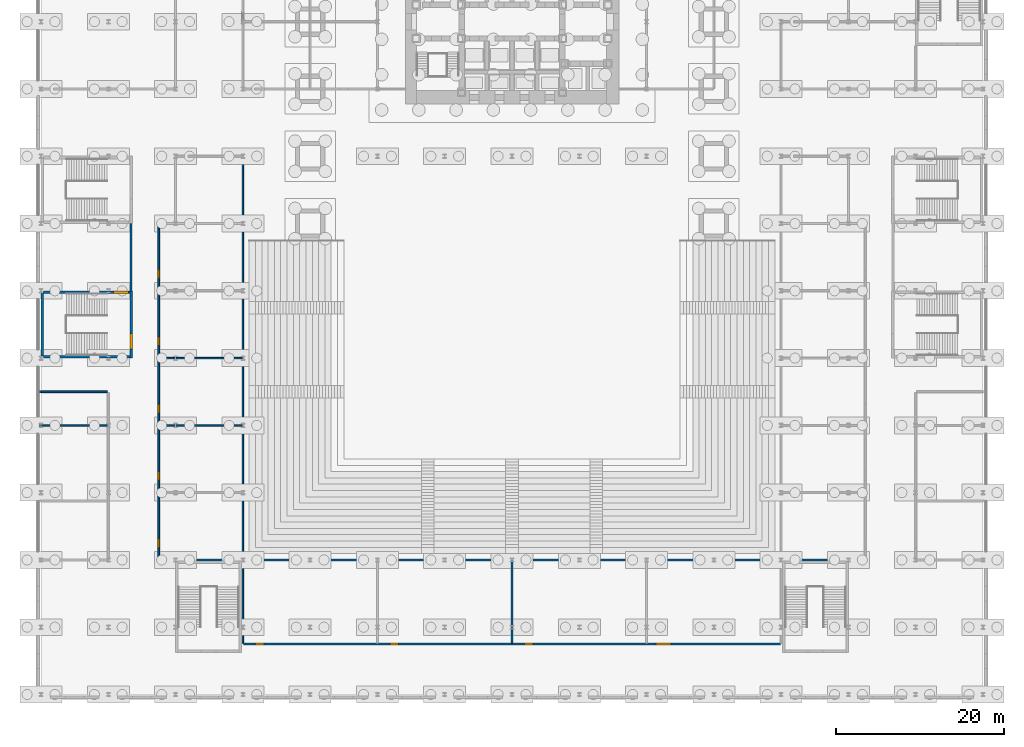
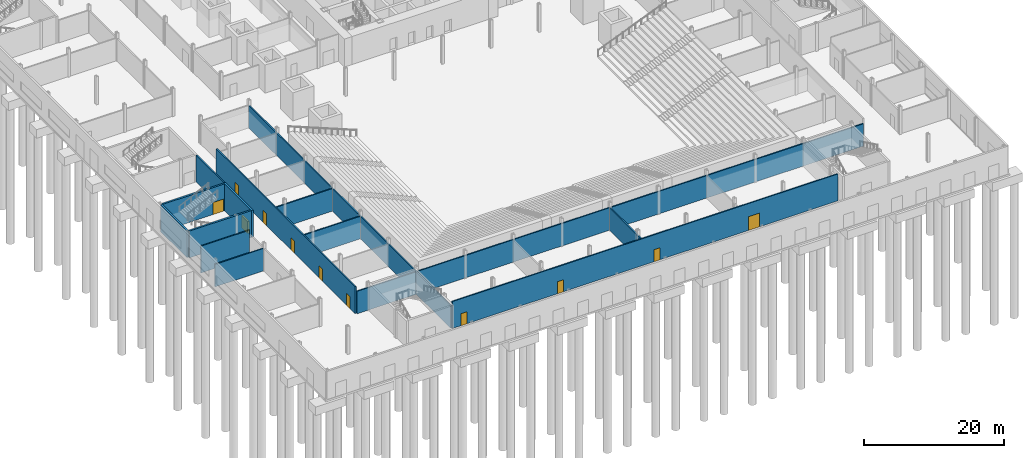
# One storey, part 12 of 24: 14 walls, 11 doors, 11 openings.
"""IFC4 building model written with IfcOpenShell, lengths in metres."""

from ifc_helpers import new_model, si_unit, direction, frame, frame_2d, origin, place, context, subcontext, project, spatial, rectangle, extrude, material, layer, layer_set, type_object, element, fill, save


model = new_model("IFC4")

# Units and contexts
model_context = context("Model", 3, precision=1e-05, world=origin(), true_north=direction((0.0, 1.0)))
body_context = subcontext(model_context, "Body", "Model", "MODEL_VIEW")
ifc_project = project(units=[si_unit("LENGTHUNIT", "METRE"), si_unit("AREAUNIT", "SQUARE_METRE"), si_unit("VOLUMEUNIT", "CUBIC_METRE"), si_unit("PLANEANGLEUNIT", "RADIAN"), si_unit("MASSUNIT", "GRAM", prefix="KILO")], contexts=[model_context])

# Site, building, storey
site_placement = place(None, origin())
site = spatial("IfcSite", under=ifc_project, at=site_placement, CompositionType="ELEMENT")
building_placement = place(site_placement, origin())
building = spatial("IfcBuilding", under=site, at=building_placement, Name="Daluyong Arena Tower", CompositionType="ELEMENT")
storey_placement = place(building_placement, origin())
storey = spatial("IfcBuildingStorey", under=building, at=storey_placement, Name="L00", CompositionType="ELEMENT", Elevation=0.0)

# Wall
ifc_material_1 = material(Name="Concrete block partition, fire rated", Category="concrete")
ifc_layer_1 = layer(ifc_material_1, 0.199951171875)
ifc_layer_set_1 = layer_set([ifc_layer_1], Name="Concrete block partition, fire rated")
wall_type_1 = type_object("IfcWallType", Name="Fire-rated partition 200", PredefinedType="PARTITIONING", material=ifc_layer_set_1)
wall_1_placement = place(storey_placement, frame((10.699951171875, 48.0, 0.0), z_axis=(0.0, 0.0, 1.0), x_axis=(0.0, 1.0, 0.0)))
element("IfcWall", 1, at=wall_1_placement, inside=storey, type_object=wall_type_1, Name="exit passage PS3 PS7 partition at L00", PredefinedType="PARTITIONING", context=body_context, shape_type="SweptSolid", body=[
    extrude(rectangle(XDim=8.0, YDim=0.199951171875, at=frame_2d((4.0, 0.0))), origin(), (0.0, 0.0, 1.0), 4.699951171875),
])

# Wall, openings, doors
ifc_material_2 = material(Name="Concrete block partition", Category="concrete")
ifc_layer_2 = layer(ifc_material_2, 0.199951171875)
ifc_layer_set_2 = layer_set([ifc_layer_2], Name="Concrete block partition")
wall_type_2 = type_object("IfcWallType", Name="Partition 200", PredefinedType="PARTITIONING", material=ifc_layer_set_2)
wall_2_placement = place(storey_placement, frame((24.10009765625, 6.0, 0.0), z_axis=(0.0, 0.0, 1.0), x_axis=(1.0, 0.0, 0.0)))
wall_2 = element("IfcWall", 2, at=wall_2_placement, inside=storey, type_object=wall_type_2, Name="partition at L00", PredefinedType="PARTITIONING", context=body_context, shape_type="SweptSolid", body=[
    extrude(rectangle(XDim=63.7998046875, YDim=0.199951171875, at=frame_2d((31.89990234375, 0.0))), origin(), (0.0, 0.0, 1.0), 4.699951171875),
])
opening_1_placement = place(wall_2_placement, frame((1.39990234375, 0.0, 0.0)))
opening_1 = element("IfcOpeningElement", 3, at=opening_1_placement, cuts=wall_2, Name="Opening 00061", PredefinedType="OPENING", context=body_context, shape_type="SweptSolid", body=[
    extrude(rectangle(XDim=1.0, YDim=2.10009765625, at=frame_2d((0.5, 1.050048828125))), frame((0.0, 0.10986328125, 0.0), z_axis=(0.0, -1.0, 0.0), x_axis=(1.0, 0.0, 0.0)), (0.0, 0.0, 1.0), 0.219970703125),
])
opening_2_placement = place(wall_2_placement, frame((17.39990234375, 0.0, 0.0)))
opening_2 = element("IfcOpeningElement", 4, at=opening_2_placement, cuts=wall_2, Name="Opening 00062", PredefinedType="OPENING", context=body_context, shape_type="SweptSolid", body=[
    extrude(rectangle(XDim=1.0, YDim=2.10009765625, at=frame_2d((0.5, 1.050048828125))), frame((0.0, 0.10986328125, 0.0), z_axis=(0.0, -1.0, 0.0), x_axis=(1.0, 0.0, 0.0)), (0.0, 0.0, 1.0), 0.219970703125),
])
opening_3_placement = place(wall_2_placement, frame((33.39990234375, 0.0, 0.0)))
opening_3 = element("IfcOpeningElement", 5, at=opening_3_placement, cuts=wall_2, Name="Opening 00063", PredefinedType="OPENING", context=body_context, shape_type="SweptSolid", body=[
    extrude(rectangle(XDim=1.0, YDim=2.10009765625, at=frame_2d((0.5, 1.050048828125))), frame((0.0, 0.10986328125, 0.0), z_axis=(0.0, -1.0, 0.0), x_axis=(1.0, 0.0, 0.0)), (0.0, 0.0, 1.0), 0.219970703125),
])
opening_4_placement = place(wall_2_placement, frame((49.0, 0.0, 0.0)))
opening_4 = element("IfcOpeningElement", 6, at=opening_4_placement, cuts=wall_2, Name="Opening 00064", PredefinedType="OPENING", context=body_context, shape_type="SweptSolid", body=[
    extrude(rectangle(XDim=1.800048828125, YDim=2.39990234375, at=frame_2d((0.89990234375, 1.199951171875))), frame((0.0, 0.10986328125, 0.0), z_axis=(0.0, -1.0, 0.0), x_axis=(1.0, 0.0, 0.0)), (0.0, 0.0, 1.0), 0.219970703125),
])
ifc_material_3 = material(Name="Timber door", Category="wood")
door_type_1 = type_object("IfcDoorType", Name="Assembly double door 1800", OperationType="DOUBLE_DOOR_DOUBLE_SWING", PredefinedType="DOOR", material=ifc_material_3)
door_1_placement = place(opening_4_placement, origin())
door_1 = element("IfcDoor", 7, at=door_1_placement, inside=storey, type_object=door_type_1, Name="sports bar door 00064", OperationType="DOUBLE_DOOR_DOUBLE_SWING", OverallHeight=2.39990234375, OverallWidth=1.800048828125, PredefinedType="DOOR", context=body_context, shape_type="SweptSolid", body=[
    extrude(rectangle(XDim=1.800048828125, YDim=2.39990234375, at=frame_2d((0.89990234375, 1.199951171875))), frame((0.0, 0.099609375, 0.0), z_axis=(0.0, -1.0, 0.0), x_axis=(1.0, 0.0, 0.0)), (0.0, 0.0, 1.0), 0.199462890625),
])
fill(opening_4, door_1)
ifc_material_4 = material(Name="Timber door", Category="wood")
door_type_2 = type_object("IfcDoorType", Name="Room door 1000", OperationType="SINGLE_SWING_LEFT", PredefinedType="DOOR", material=ifc_material_4)
door_2_placement = place(opening_1_placement, origin())
door_2 = element("IfcDoor", 8, at=door_2_placement, inside=storey, type_object=door_type_2, Name="merchandise shop door 00061", OperationType="SINGLE_SWING_LEFT", OverallHeight=2.10009765625, OverallWidth=1.0, PredefinedType="DOOR", context=body_context, shape_type="SweptSolid", body=[
    extrude(rectangle(XDim=1.0, YDim=2.10009765625, at=frame_2d((0.5, 1.050048828125))), frame((0.0, 0.099609375, 0.0), z_axis=(0.0, -1.0, 0.0), x_axis=(1.0, 0.0, 0.0)), (0.0, 0.0, 1.0), 0.199462890625),
])
fill(opening_1, door_2)
door_3_placement = place(opening_2_placement, origin())
door_3 = element("IfcDoor", 9, at=door_3_placement, inside=storey, type_object=door_type_2, Name="food and beverage kiosk door 00062", OperationType="SINGLE_SWING_LEFT", OverallHeight=2.10009765625, OverallWidth=1.0, PredefinedType="DOOR", context=body_context, shape_type="SweptSolid", body=[
    extrude(rectangle(XDim=1.0, YDim=2.10009765625, at=frame_2d((0.5, 1.050048828125))), frame((0.0, 0.099609375, 0.0), z_axis=(0.0, -1.0, 0.0), x_axis=(1.0, 0.0, 0.0)), (0.0, 0.0, 1.0), 0.199462890625),
])
fill(opening_2, door_3)
door_4_placement = place(opening_3_placement, origin())
door_4 = element("IfcDoor", 10, at=door_4_placement, inside=storey, type_object=door_type_2, Name="food and beverage kiosk door 00063", OperationType="SINGLE_SWING_LEFT", OverallHeight=2.10009765625, OverallWidth=1.0, PredefinedType="DOOR", context=body_context, shape_type="SweptSolid", body=[
    extrude(rectangle(XDim=1.0, YDim=2.10009765625, at=frame_2d((0.5, 1.050048828125))), frame((0.0, 0.099609375, 0.0), z_axis=(0.0, -1.0, 0.0), x_axis=(1.0, 0.0, 0.0)), (0.0, 0.0, 1.0), 0.199462890625),
])
fill(opening_3, door_4)

# Walls
wall_3_placement = place(storey_placement, frame((14.10009765625, 16.0, 0.0), z_axis=(0.0, 0.0, 1.0), x_axis=(1.0, 0.0, 0.0)))
element("IfcWall", 11, at=wall_3_placement, inside=storey, type_object=wall_type_2, Name="partition at L00", PredefinedType="PARTITIONING", context=body_context, shape_type="SweptSolid", body=[
    extrude(rectangle(XDim=83.7998046875, YDim=0.199951171875, at=frame_2d((41.89990234375, 0.0))), origin(), (0.0, 0.0, 1.0), 3.927734375),
])
wall_4_placement = place(storey_placement, frame((-0.14990234375, 32.0, 0.0), z_axis=(0.0, 0.0, 1.0), x_axis=(1.0, 0.0, 0.0)))
element("IfcWall", 12, at=wall_4_placement, inside=storey, type_object=wall_type_2, Name="partition at L00", PredefinedType="PARTITIONING", context=body_context, shape_type="SweptSolid", body=[
    extrude(rectangle(XDim=8.0498046875, YDim=0.199951171875, at=frame_2d((4.02490234375, 0.0))), origin(), (0.0, 0.0, 1.0), 3.927734375),
])
wall_5_placement = place(storey_placement, frame((14.10009765625, 32.0, 0.0), z_axis=(0.0, 0.0, 1.0), x_axis=(1.0, 0.0, 0.0)))
element("IfcWall", 13, at=wall_5_placement, inside=storey, type_object=wall_type_2, Name="partition at L00", PredefinedType="PARTITIONING", context=body_context, shape_type="SweptSolid", body=[
    extrude(rectangle(XDim=9.7998046875, YDim=0.199951171875, at=frame_2d((4.89990234375, 0.0))), origin(), (0.0, 0.0, 1.0), 3.927734375),
])
wall_6_placement = place(storey_placement, frame((-0.14990234375, 36.0, 0.0), z_axis=(0.0, 0.0, 1.0), x_axis=(1.0, 0.0, 0.0)))
element("IfcWall", 14, at=wall_6_placement, inside=storey, type_object=wall_type_2, Name="partition at L00", PredefinedType="PARTITIONING", context=body_context, shape_type="SweptSolid", body=[
    extrude(rectangle(XDim=8.0498046875, YDim=0.199951171875, at=frame_2d((4.02490234375, 0.0))), origin(), (0.0, 0.0, 1.0), 4.699951171875),
])
wall_7_placement = place(storey_placement, frame((14.10009765625, 40.0, 0.0), z_axis=(0.0, 0.0, 1.0), x_axis=(1.0, 0.0, 0.0)))
element("IfcWall", 15, at=wall_7_placement, inside=storey, type_object=wall_type_2, Name="partition at L00", PredefinedType="PARTITIONING", context=body_context, shape_type="SweptSolid", body=[
    extrude(rectangle(XDim=9.7998046875, YDim=0.199951171875, at=frame_2d((4.89990234375, 0.0))), origin(), (0.0, 0.0, 1.0), 3.927734375),
])

# Wall, openings, doors
wall_8_placement = place(storey_placement, frame((14.0, 16.10009765625, 0.0), z_axis=(0.0, 0.0, 1.0), x_axis=(0.0, 1.0, 0.0)))
wall_8 = element("IfcWall", 16, at=wall_8_placement, inside=storey, type_object=wall_type_2, Name="partition at L00", PredefinedType="PARTITIONING", context=body_context, shape_type="SweptSolid", body=[
    extrude(rectangle(XDim=39.7998046875, YDim=0.199951171875, at=frame_2d((19.89990234375, 0.0))), origin(), (0.0, 0.0, 1.0), 4.699951171875),
])
opening_5_placement = place(wall_8_placement, frame((1.39990234375, 0.0, 0.0)))
opening_5 = element("IfcOpeningElement", 17, at=opening_5_placement, cuts=wall_8, Name="Opening 00051", PredefinedType="OPENING", context=body_context, shape_type="SweptSolid", body=[
    extrude(rectangle(XDim=1.0, YDim=2.10009765625, at=frame_2d((0.5, 1.050048828125))), frame((0.0, 0.10986328125, 0.0), z_axis=(0.0, -1.0, 0.0), x_axis=(1.0, 0.0, 0.0)), (0.0, 0.0, 1.0), 0.219970703125),
])
opening_6_placement = place(wall_8_placement, frame((9.39990234375, 0.0, 0.0)))
opening_6 = element("IfcOpeningElement", 18, at=opening_6_placement, cuts=wall_8, Name="Opening 00052", PredefinedType="OPENING", context=body_context, shape_type="SweptSolid", body=[
    extrude(rectangle(XDim=1.0, YDim=2.10009765625, at=frame_2d((0.5, 1.050048828125))), frame((0.0, 0.10986328125, 0.0), z_axis=(0.0, -1.0, 0.0), x_axis=(1.0, 0.0, 0.0)), (0.0, 0.0, 1.0), 0.219970703125),
])
opening_7_placement = place(wall_8_placement, frame((17.39990234375, 0.0, 0.0)))
opening_7 = element("IfcOpeningElement", 19, at=opening_7_placement, cuts=wall_8, Name="Opening 00053", PredefinedType="OPENING", context=body_context, shape_type="SweptSolid", body=[
    extrude(rectangle(XDim=1.0, YDim=2.10009765625, at=frame_2d((0.5, 1.050048828125))), frame((0.0, 0.10986328125, 0.0), z_axis=(0.0, -1.0, 0.0), x_axis=(1.0, 0.0, 0.0)), (0.0, 0.0, 1.0), 0.219970703125),
])
opening_8_placement = place(wall_8_placement, frame((25.39990234375, 0.0, 0.0)))
opening_8 = element("IfcOpeningElement", 20, at=opening_8_placement, cuts=wall_8, Name="Opening 00054", PredefinedType="OPENING", context=body_context, shape_type="SweptSolid", body=[
    extrude(rectangle(XDim=1.0, YDim=2.10009765625, at=frame_2d((0.5, 1.050048828125))), frame((0.0, 0.10986328125, 0.0), z_axis=(0.0, -1.0, 0.0), x_axis=(1.0, 0.0, 0.0)), (0.0, 0.0, 1.0), 0.219970703125),
])
opening_9_placement = place(wall_8_placement, frame((33.39990234375, 0.0, 0.0)))
opening_9 = element("IfcOpeningElement", 21, at=opening_9_placement, cuts=wall_8, Name="Opening 00055", PredefinedType="OPENING", context=body_context, shape_type="SweptSolid", body=[
    extrude(rectangle(XDim=1.0, YDim=2.10009765625, at=frame_2d((0.5, 1.050048828125))), frame((0.0, 0.10986328125, 0.0), z_axis=(0.0, -1.0, 0.0), x_axis=(1.0, 0.0, 0.0)), (0.0, 0.0, 1.0), 0.219970703125),
])
door_5_placement = place(opening_5_placement, origin())
door_5 = element("IfcDoor", 22, at=door_5_placement, inside=storey, type_object=door_type_2, Name="food and beverage kiosk door 00051", OperationType="SINGLE_SWING_LEFT", OverallHeight=2.10009765625, OverallWidth=1.0, PredefinedType="DOOR", context=body_context, shape_type="SweptSolid", body=[
    extrude(rectangle(XDim=1.0, YDim=2.10009765625, at=frame_2d((0.5, 1.050048828125))), frame((0.0, 0.099609375, 0.0), z_axis=(0.0, -1.0, 0.0), x_axis=(1.0, 0.0, 0.0)), (0.0, 0.0, 1.0), 0.199462890625),
])
fill(opening_5, door_5)
door_6_placement = place(opening_6_placement, origin())
door_6 = element("IfcDoor", 23, at=door_6_placement, inside=storey, type_object=door_type_2, Name="first aid room door 00052", OperationType="SINGLE_SWING_LEFT", OverallHeight=2.10009765625, OverallWidth=1.0, PredefinedType="DOOR", context=body_context, shape_type="SweptSolid", body=[
    extrude(rectangle(XDim=1.0, YDim=2.10009765625, at=frame_2d((0.5, 1.050048828125))), frame((0.0, 0.099609375, 0.0), z_axis=(0.0, -1.0, 0.0), x_axis=(1.0, 0.0, 0.0)), (0.0, 0.0, 1.0), 0.199462890625),
])
fill(opening_6, door_6)
door_7_placement = place(opening_7_placement, origin())
door_7 = element("IfcDoor", 24, at=door_7_placement, inside=storey, type_object=door_type_2, Name="food and beverage kiosk door 00053", OperationType="SINGLE_SWING_LEFT", OverallHeight=2.10009765625, OverallWidth=1.0, PredefinedType="DOOR", context=body_context, shape_type="SweptSolid", body=[
    extrude(rectangle(XDim=1.0, YDim=2.10009765625, at=frame_2d((0.5, 1.050048828125))), frame((0.0, 0.099609375, 0.0), z_axis=(0.0, -1.0, 0.0), x_axis=(1.0, 0.0, 0.0)), (0.0, 0.0, 1.0), 0.199462890625),
])
fill(opening_7, door_7)
door_8_placement = place(opening_8_placement, origin())
door_8 = element("IfcDoor", 25, at=door_8_placement, inside=storey, type_object=door_type_2, Name="merchandise shop door 00054", OperationType="SINGLE_SWING_LEFT", OverallHeight=2.10009765625, OverallWidth=1.0, PredefinedType="DOOR", context=body_context, shape_type="SweptSolid", body=[
    extrude(rectangle(XDim=1.0, YDim=2.10009765625, at=frame_2d((0.5, 1.050048828125))), frame((0.0, 0.099609375, 0.0), z_axis=(0.0, -1.0, 0.0), x_axis=(1.0, 0.0, 0.0)), (0.0, 0.0, 1.0), 0.199462890625),
])
fill(opening_8, door_8)
door_9_placement = place(opening_9_placement, origin())
door_9 = element("IfcDoor", 26, at=door_9_placement, inside=storey, type_object=door_type_2, Name="food and beverage kiosk door 00055", OperationType="SINGLE_SWING_LEFT", OverallHeight=2.10009765625, OverallWidth=1.0, PredefinedType="DOOR", context=body_context, shape_type="SweptSolid", body=[
    extrude(rectangle(XDim=1.0, YDim=2.10009765625, at=frame_2d((0.5, 1.050048828125))), frame((0.0, 0.099609375, 0.0), z_axis=(0.0, -1.0, 0.0), x_axis=(1.0, 0.0, 0.0)), (0.0, 0.0, 1.0), 0.199462890625),
])
fill(opening_9, door_9)

# Walls
wall_9_placement = place(storey_placement, frame((24.0, 6.10009765625, 0.0), z_axis=(0.0, 0.0, 1.0), x_axis=(0.0, 1.0, 0.0)))
element("IfcWall", 27, at=wall_9_placement, inside=storey, type_object=wall_type_2, Name="partition at L00", PredefinedType="PARTITIONING", context=body_context, shape_type="SweptSolid", body=[
    extrude(rectangle(XDim=57.7998046875, YDim=0.199951171875, at=frame_2d((28.89990234375, 0.0))), origin(), (0.0, 0.0, 1.0), 3.927734375),
])
wall_10_placement = place(storey_placement, frame((56.0, 6.10009765625, 0.0), z_axis=(0.0, 0.0, 1.0), x_axis=(0.0, 1.0, 0.0)))
element("IfcWall", 28, at=wall_10_placement, inside=storey, type_object=wall_type_2, Name="partition at L00", PredefinedType="PARTITIONING", context=body_context, shape_type="SweptSolid", body=[
    extrude(rectangle(XDim=9.7998046875, YDim=0.199951171875, at=frame_2d((4.89990234375, 0.0))), origin(), (0.0, 0.0, 1.0), 3.927734375),
])
ifc_material_5 = material(Name="Concrete fc' 35 MPa", Category="concrete")
ifc_layer_3 = layer(ifc_material_5, 0.300048828125)
ifc_layer_set_3 = layer_set([ifc_layer_3], Name="Concrete fc' 35 MPa")
wall_type_3 = type_object("IfcWallType", Name="Stair enclosure wall 300", PredefinedType="SOLIDWALL", material=ifc_layer_set_3)
wall_11_placement = place(storey_placement, frame((0.14990234375, 40.227294921875, 0.0), z_axis=(0.0, 0.0, 1.0), x_axis=(0.0, 1.0, 0.0)))
element("IfcWall", 29, at=wall_11_placement, inside=storey, type_object=wall_type_3, Name="exit stair PS3 enclosure", PredefinedType="SOLIDWALL", context=body_context, shape_type="SweptSolid", body=[
    extrude(rectangle(XDim=7.54541015625, YDim=0.300048828125, at=frame_2d((3.772705078125, 0.0))), origin(), (0.0, 0.0, 1.0), 4.699951171875),
])

# Wall, opening, door
wall_12_placement = place(storey_placement, frame((10.699951171875, 40.0, 0.0), z_axis=(0.0, 0.0, 1.0), x_axis=(0.0, 1.0, 0.0)))
wall_12 = element("IfcWall", 30, at=wall_12_placement, inside=storey, type_object=wall_type_3, Name="exit stair PS3 enclosure", PredefinedType="SOLIDWALL", context=body_context, shape_type="SweptSolid", body=[
    extrude(rectangle(XDim=8.0, YDim=0.300048828125, at=frame_2d((4.0, 0.0))), origin(), (0.0, 0.0, 1.0), 4.699951171875),
])
opening_10_placement = place(wall_12_placement, frame((1.10009765625, 0.0, 0.0)))
opening_10 = element("IfcOpeningElement", 31, at=opening_10_placement, cuts=wall_12, Name="Opening 00029", PredefinedType="OPENING", context=body_context, shape_type="SweptSolid", body=[
    extrude(rectangle(XDim=1.800048828125, YDim=2.10009765625, at=frame_2d((0.89990234375, 1.050048828125))), frame((0.0, 0.159912109375, 0.0), z_axis=(0.0, -1.0, 0.0), x_axis=(1.0, 0.0, 0.0)), (0.0, 0.0, 1.0), 0.320068359375),
])
ifc_material_6 = material(Name="Steel door, fire rated", Category="steel")
door_type_3 = type_object("IfcDoorType", Name="Exit stair double door 1800", OperationType="DOUBLE_DOOR_SINGLE_SWING", PredefinedType="DOOR", material=ifc_material_6)
door_10_placement = place(opening_10_placement, origin())
door_10 = element("IfcDoor", 32, at=door_10_placement, inside=storey, type_object=door_type_3, Name="exit stair PS3 door 00029", OperationType="DOUBLE_DOOR_SINGLE_SWING", OverallHeight=2.10009765625, OverallWidth=1.800048828125, PredefinedType="DOOR", context=body_context, shape_type="SweptSolid", body=[
    extrude(rectangle(XDim=1.800048828125, YDim=2.10009765625, at=frame_2d((0.89990234375, 1.050048828125))), frame((0.0, 0.14990234375, 0.0), z_axis=(0.0, -1.0, 0.0), x_axis=(1.0, 0.0, 0.0)), (0.0, 0.0, 1.0), 0.299560546875),
])
fill(opening_10, door_10)

# Wall
wall_13_placement = place(storey_placement, frame((0.300048828125, 40.14990234375, 0.0), z_axis=(0.0, 0.0, 1.0), x_axis=(1.0, 0.0, 0.0)))
element("IfcWall", 33, at=wall_13_placement, inside=storey, type_object=wall_type_3, Name="exit stair PS3 enclosure", PredefinedType="SOLIDWALL", context=body_context, shape_type="SweptSolid", body=[
    extrude(rectangle(XDim=10.25, YDim=0.300048828125, at=frame_2d((5.125, 0.0))), origin(), (0.0, 0.0, 1.0), 4.699951171875),
])

# Wall, opening, door
wall_14_placement = place(storey_placement, frame((0.300048828125, 47.85009765625, 0.0), z_axis=(0.0, 0.0, 1.0), x_axis=(1.0, 0.0, 0.0)))
wall_14 = element("IfcWall", 34, at=wall_14_placement, inside=storey, type_object=wall_type_3, Name="exit stair PS3 enclosure", PredefinedType="SOLIDWALL", context=body_context, shape_type="SweptSolid", body=[
    extrude(rectangle(XDim=10.25, YDim=0.300048828125, at=frame_2d((5.125, 0.0))), origin(), (0.0, 0.0, 1.0), 4.699951171875),
])
opening_11_placement = place(wall_14_placement, frame((8.300048828125, 0.0, 0.0)))
opening_11 = element("IfcOpeningElement", 35, at=opening_11_placement, cuts=wall_14, Name="Opening 00075", PredefinedType="OPENING", context=body_context, shape_type="SweptSolid", body=[
    extrude(rectangle(XDim=1.800048828125, YDim=2.10009765625, at=frame_2d((0.89990234375, 1.050048828125))), frame((0.0, 0.159912109375, 0.0), z_axis=(0.0, -1.0, 0.0), x_axis=(1.0, 0.0, 0.0)), (0.0, 0.0, 1.0), 0.320068359375),
])
door_11_placement = place(opening_11_placement, origin())
door_11 = element("IfcDoor", 36, at=door_11_placement, inside=storey, type_object=door_type_3, Name="exit stair PS3 passage door 00075", OperationType="DOUBLE_DOOR_SINGLE_SWING", OverallHeight=2.10009765625, OverallWidth=1.800048828125, PredefinedType="DOOR", context=body_context, shape_type="SweptSolid", body=[
    extrude(rectangle(XDim=1.800048828125, YDim=2.10009765625, at=frame_2d((0.89990234375, 1.050048828125))), frame((0.0, 0.14990234375, 0.0), z_axis=(0.0, -1.0, 0.0), x_axis=(1.0, 0.0, 0.0)), (0.0, 0.0, 1.0), 0.299560546875),
])
fill(opening_11, door_11)

save(model, "model.ifc")
